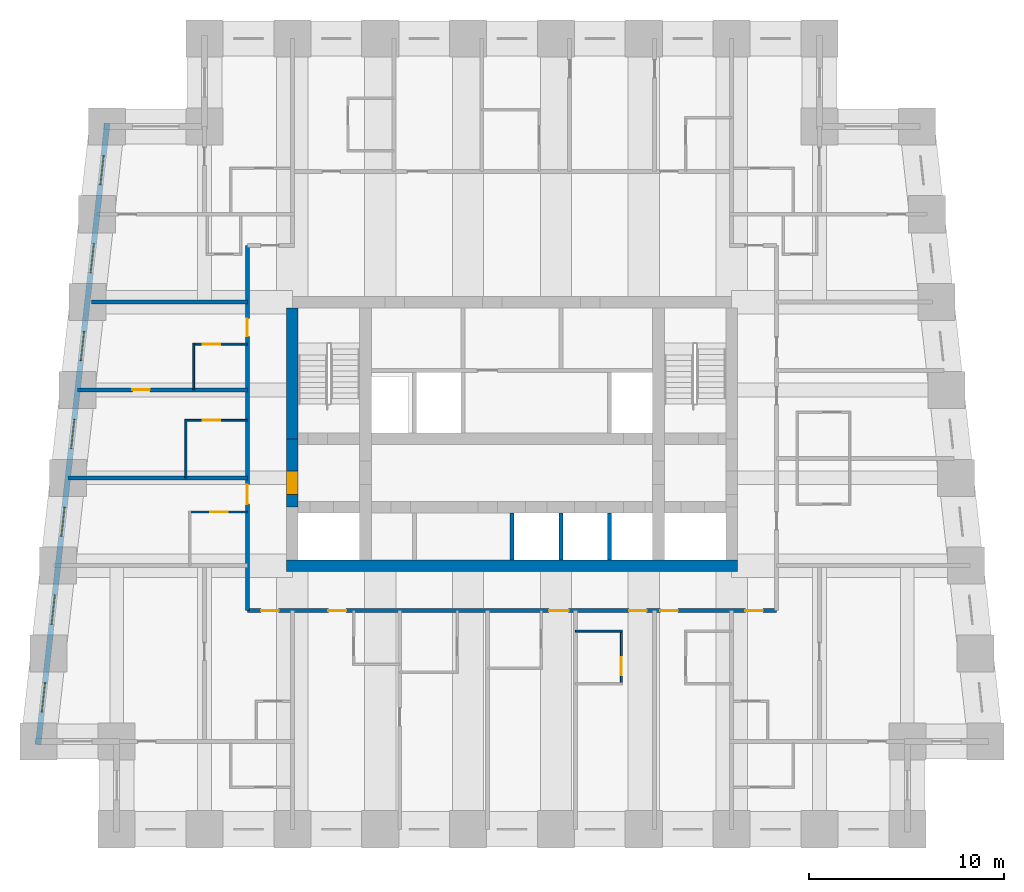
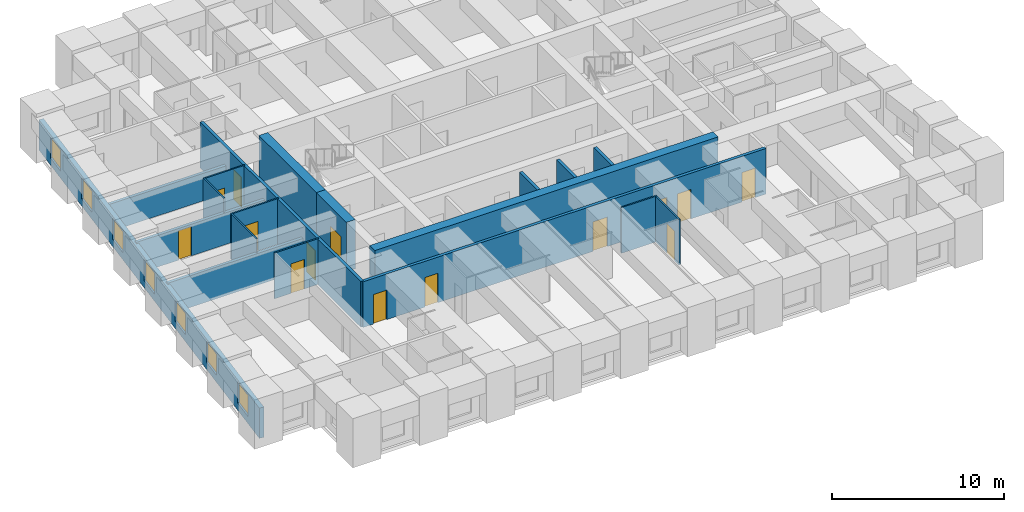
# One storey, part 3 of 8: 19 walls, 14 doors, 7 windows, 21 openings.
"""IFC4 building model written with IfcOpenShell, lengths in metres."""

from ifc_helpers import new_model, si_unit, direction, frame, frame_2d, origin, place, context, subcontext, project, spatial, rectangle, extrude, material, layer, layer_set, type_object, element, fill, save


model = new_model("IFC4")

# Units and contexts
model_context = context("Model", 3, precision=1e-05, world=origin(), true_north=direction((0.0, 1.0)))
body_context = subcontext(model_context, "Body", "Model", "MODEL_VIEW")
ifc_project = project(units=[si_unit("LENGTHUNIT", "METRE"), si_unit("AREAUNIT", "SQUARE_METRE"), si_unit("VOLUMEUNIT", "CUBIC_METRE"), si_unit("PLANEANGLEUNIT", "RADIAN"), si_unit("MASSUNIT", "GRAM", prefix="KILO")], contexts=[model_context])

# Site, building, storey
site_placement = place(None, origin())
site = spatial("IfcSite", under=ifc_project, at=site_placement, CompositionType="ELEMENT")
building_placement = place(site_placement, origin())
building = spatial("IfcBuilding", under=site, at=building_placement, Name="Kilele Tower Hotel", CompositionType="ELEMENT")
storey_placement = place(building_placement, frame((0.0, 0.0, 124.89990234375)))
storey = spatial("IfcBuildingStorey", under=building, at=storey_placement, Name="L32", CompositionType="ELEMENT", Elevation=124.89990234375)

# Wall
ifc_material_1 = material(Name="Moisture-resistant board")
ifc_layer_1 = layer(ifc_material_1, 0.10009765625)
ifc_layer_set_1 = layer_set([ifc_layer_1], Name="Moisture-resistant board")
wall_type_1 = type_object("IfcWallType", Name="Bathroom partition 100", PredefinedType="PLUMBINGWALL", material=ifc_layer_set_1)
wall_1_placement = place(storey_placement, frame((28.0, 10.14990234375, 0.0), z_axis=(0.0, 0.0, 1.0), x_axis=(1.0, 0.0, 0.0)))
element("IfcWall", 1, at=wall_1_placement, inside=storey, type_object=wall_type_1, Name="Bathroom partition 100 L32", PredefinedType="PLUMBINGWALL", context=body_context, shape_type="SweptSolid", body=[
    extrude(rectangle(XDim=2.39990234375, YDim=0.10009765625, at=frame_2d((1.199951171875, 0.0))), origin(), (0.0, 0.0, 1.0), 3.25),
])

# Wall, opening, door
wall_2_placement = place(storey_placement, frame((30.35009765625, 10.199951171875, 0.0), z_axis=(0.0, 0.0, 1.0), x_axis=(0.0, -1.0, 0.0)))
wall_2 = element("IfcWall", 2, at=wall_2_placement, inside=storey, type_object=wall_type_1, Name="Bathroom partition 100 L32", PredefinedType="PLUMBINGWALL", context=body_context, shape_type="SweptSolid", body=[
    extrude(rectangle(XDim=2.800048828125, YDim=0.10009765625, at=frame_2d((1.39990234375, 0.0))), origin(), (0.0, 0.0, 1.0), 3.25),
])
opening_1_placement = place(wall_2_placement, frame((1.39990234375, 0.0, 0.0)))
opening_1 = element("IfcOpeningElement", 3, at=opening_1_placement, cuts=wall_2, Name="Opening D2A", PredefinedType="OPENING", context=body_context, shape_type="SweptSolid", body=[
    extrude(rectangle(XDim=0.89990234375, YDim=2.10009765625, at=frame_2d((0.449951171875, 1.050048828125))), frame((0.0, 0.06005859375, 0.0), z_axis=(0.0, -1.0, 0.0), x_axis=(1.0, 0.0, 0.0)), (0.0, 0.0, 1.0), 0.1201171875),
])
ifc_material_2 = material(Name="Timber door leaf in hardwood frame", Category="wood")
door_type_1 = type_object("IfcDoorType", Name="Bathroom door 900", OperationType="SINGLE_SWING_LEFT", PredefinedType="DOOR", material=ifc_material_2)
door_1_placement = place(opening_1_placement, origin())
door_1 = element("IfcDoor", 4, at=door_1_placement, inside=storey, type_object=door_type_1, Name="Bathroom door 3204B", OperationType="SINGLE_SWING_RIGHT", OverallHeight=2.10009765625, OverallWidth=0.89990234375, PredefinedType="DOOR", context=body_context, shape_type="SweptSolid", body=[
    extrude(rectangle(XDim=0.89990234375, YDim=2.10009765625, at=frame_2d((0.449951171875, 1.050048828125))), frame((0.0, 0.02490234375, 0.0), z_axis=(0.0, -1.0, 0.0), x_axis=(1.0, 0.0, 0.0)), (0.0, 0.0, 1.0), 0.050048828125),
])
fill(opening_1, door_1)

wall_3_placement = place(storey_placement, frame((11.199951171875, 16.25, 0.0), z_axis=(0.0, 0.0, 1.0), x_axis=(-1.0, 0.0, 0.0)))
wall_3 = element("IfcWall", 5, at=wall_3_placement, inside=storey, type_object=wall_type_1, Name="Bathroom partition 100 L32", PredefinedType="PLUMBINGWALL", context=body_context, shape_type="SweptSolid", body=[
    extrude(rectangle(XDim=3.0, YDim=0.10009765625, at=frame_2d((1.5, 0.0))), origin(), (0.0, 0.0, 1.0), 3.25),
])
opening_2_placement = place(wall_3_placement, frame((1.89990234375, 0.0, 0.0), z_axis=(0.0, 0.0, 1.0), x_axis=(-1.0, 0.0, 0.0)))
opening_2 = element("IfcOpeningElement", 6, at=opening_2_placement, cuts=wall_3, Name="Opening D2A", PredefinedType="OPENING", context=body_context, shape_type="SweptSolid", body=[
    extrude(rectangle(XDim=0.89990234375, YDim=2.10009765625, at=frame_2d((0.449951171875, 1.050048828125))), frame((0.0, 0.06005859375, 0.0), z_axis=(0.0, -1.0, 0.0), x_axis=(1.0, 0.0, 0.0)), (0.0, 0.0, 1.0), 0.1201171875),
])
door_2_placement = place(opening_2_placement, origin())
door_2 = element("IfcDoor", 7, at=door_2_placement, inside=storey, type_object=door_type_1, Name="Bathroom door 3214B", OperationType="SINGLE_SWING_RIGHT", OverallHeight=2.10009765625, OverallWidth=0.89990234375, PredefinedType="DOOR", context=body_context, shape_type="SweptSolid", body=[
    extrude(rectangle(XDim=0.89990234375, YDim=2.10009765625, at=frame_2d((0.449951171875, 1.050048828125))), frame((0.0, 0.02490234375, 0.0), z_axis=(0.0, -1.0, 0.0), x_axis=(1.0, 0.0, 0.0)), (0.0, 0.0, 1.0), 0.050048828125),
])
fill(opening_2, door_2)

# Wall
wall_4_placement = place(storey_placement, frame((8.050048828125, 18.0, 0.0), z_axis=(0.0, 0.0, 1.0), x_axis=(0.0, 1.0, 0.0)))
element("IfcWall", 8, at=wall_4_placement, inside=storey, type_object=wall_type_1, Name="Bathroom partition 100 L32", PredefinedType="PLUMBINGWALL", context=body_context, shape_type="SweptSolid", body=[
    extrude(rectangle(XDim=3.0, YDim=0.10009765625, at=frame_2d((1.5, 0.0))), origin(), (0.0, 0.0, 1.0), 3.25),
])

# Wall, opening, door
wall_5_placement = place(storey_placement, frame((11.199951171875, 20.949951171875, 0.0), z_axis=(0.0, 0.0, 1.0), x_axis=(-1.0, 0.0, 0.0)))
wall_5 = element("IfcWall", 9, at=wall_5_placement, inside=storey, type_object=wall_type_1, Name="Bathroom partition 100 L32", PredefinedType="PLUMBINGWALL", context=body_context, shape_type="SweptSolid", body=[
    extrude(rectangle(XDim=3.199951171875, YDim=0.10009765625, at=frame_2d((1.60009765625, 0.0))), origin(), (0.0, 0.0, 1.0), 3.25),
])
opening_3_placement = place(wall_5_placement, frame((2.2998046875, 0.0, 0.0), z_axis=(0.0, 0.0, 1.0), x_axis=(-1.0, 0.0, 0.0)))
opening_3 = element("IfcOpeningElement", 10, at=opening_3_placement, cuts=wall_5, Name="Opening D2A", PredefinedType="OPENING", context=body_context, shape_type="SweptSolid", body=[
    extrude(rectangle(XDim=0.89990234375, YDim=2.10009765625, at=frame_2d((0.449951171875, 1.050048828125))), frame((0.0, 0.06005859375, 0.0), z_axis=(0.0, -1.0, 0.0), x_axis=(1.0, 0.0, 0.0)), (0.0, 0.0, 1.0), 0.1201171875),
])
door_3_placement = place(opening_3_placement, origin())
door_3 = element("IfcDoor", 11, at=door_3_placement, inside=storey, type_object=door_type_1, Name="Bathroom door 3215B", OperationType="SINGLE_SWING_RIGHT", OverallHeight=2.10009765625, OverallWidth=0.89990234375, PredefinedType="DOOR", context=body_context, shape_type="SweptSolid", body=[
    extrude(rectangle(XDim=0.89990234375, YDim=2.10009765625, at=frame_2d((0.449951171875, 1.050048828125))), frame((0.0, 0.02490234375, 0.0), z_axis=(0.0, -1.0, 0.0), x_axis=(1.0, 0.0, 0.0)), (0.0, 0.0, 1.0), 0.050048828125),
])
fill(opening_3, door_3)

# Wall
wall_6_placement = place(storey_placement, frame((8.449951171875, 22.5, 0.0), z_axis=(0.0, 0.0, 1.0), x_axis=(0.0, 1.0, 0.0)))
element("IfcWall", 12, at=wall_6_placement, inside=storey, type_object=wall_type_1, Name="Bathroom partition 100 L32", PredefinedType="PLUMBINGWALL", context=body_context, shape_type="SweptSolid", body=[
    extrude(rectangle(XDim=2.39990234375, YDim=0.10009765625, at=frame_2d((1.199951171875, 0.0))), origin(), (0.0, 0.0, 1.0), 3.25),
])

# Wall, opening, door
wall_7_placement = place(storey_placement, frame((11.199951171875, 24.85009765625, 0.0), z_axis=(0.0, 0.0, 1.0), x_axis=(-1.0, 0.0, 0.0)))
wall_7 = element("IfcWall", 13, at=wall_7_placement, inside=storey, type_object=wall_type_1, Name="Bathroom partition 100 L32", PredefinedType="PLUMBINGWALL", context=body_context, shape_type="SweptSolid", body=[
    extrude(rectangle(XDim=2.800048828125, YDim=0.10009765625, at=frame_2d((1.39990234375, 0.0))), origin(), (0.0, 0.0, 1.0), 3.25),
])
opening_4_placement = place(wall_7_placement, frame((2.2998046875, 0.0, 0.0), z_axis=(0.0, 0.0, 1.0), x_axis=(-1.0, 0.0, 0.0)))
opening_4 = element("IfcOpeningElement", 14, at=opening_4_placement, cuts=wall_7, Name="Opening D2A", PredefinedType="OPENING", context=body_context, shape_type="SweptSolid", body=[
    extrude(rectangle(XDim=0.89990234375, YDim=2.10009765625, at=frame_2d((0.449951171875, 1.050048828125))), frame((0.0, 0.06005859375, 0.0), z_axis=(0.0, -1.0, 0.0), x_axis=(1.0, 0.0, 0.0)), (0.0, 0.0, 1.0), 0.1201171875),
])
door_4_placement = place(opening_4_placement, origin())
door_4 = element("IfcDoor", 15, at=door_4_placement, inside=storey, type_object=door_type_1, Name="Bathroom door 3216B", OperationType="SINGLE_SWING_RIGHT", OverallHeight=2.10009765625, OverallWidth=0.89990234375, PredefinedType="DOOR", context=body_context, shape_type="SweptSolid", body=[
    extrude(rectangle(XDim=0.89990234375, YDim=2.10009765625, at=frame_2d((0.449951171875, 1.050048828125))), frame((0.0, 0.02490234375, 0.0), z_axis=(0.0, -1.0, 0.0), x_axis=(1.0, 0.0, 0.0)), (0.0, 0.0, 1.0), 0.050048828125),
])
fill(opening_4, door_4)

# Walls
ifc_material_3 = material(Name="Concrete C60/75", Category="concrete")
ifc_layer_2 = layer(ifc_material_3, 0.60009765625)
ifc_layer_set_2 = layer_set([ifc_layer_2], Name="Concrete C60/75")
wall_type_2 = type_object("IfcWallType", Name="Core wall 600 C60/75", PredefinedType="SHEAR", material=ifc_layer_set_2)
wall_8_placement = place(storey_placement, frame((13.199951171875, 13.5, 0.0), z_axis=(0.0, 0.0, 1.0), x_axis=(1.0, 0.0, 0.0)))
element("IfcWall", 16, at=wall_8_placement, inside=storey, type_object=wall_type_2, Name="Core wall S L32", PredefinedType="SHEAR", context=body_context, shape_type="SweptSolid", body=[
    extrude(rectangle(XDim=23.10009765625, YDim=0.60009765625, at=frame_2d((11.550048828125, 0.0))), origin(), (0.0, 0.0, 1.0), 3.5),
])
wall_9_placement = place(storey_placement, frame((13.5, 26.699951171875, 0.0), z_axis=(0.0, 0.0, 1.0), x_axis=(0.0, -1.0, 0.0)))
element("IfcWall", 17, at=wall_9_placement, inside=storey, type_object=wall_type_2, Name="Core wall W1 L32", PredefinedType="SHEAR", context=body_context, shape_type="SweptSolid", body=[
    extrude(rectangle(XDim=6.699951171875, YDim=0.60009765625, at=frame_2d((3.35009765625, 0.0))), origin(), (0.0, 0.0, 1.0), 3.5),
])

# Wall, opening, door
wall_10_placement = place(storey_placement, frame((13.5, 20.0, 0.0), z_axis=(0.0, 0.0, 1.0), x_axis=(0.0, -1.0, 0.0)))
wall_10 = element("IfcWall", 18, at=wall_10_placement, inside=storey, type_object=wall_type_2, Name="Core wall W2 L32", PredefinedType="SHEAR", context=body_context, shape_type="SweptSolid", body=[
    extrude(rectangle(XDim=3.5, YDim=0.60009765625, at=frame_2d((1.75, 0.0))), origin(), (0.0, 0.0, 1.0), 3.5),
])
opening_5_placement = place(wall_10_placement, frame((1.64990234375, 0.0, 0.0)))
opening_5 = element("IfcOpeningElement", 19, at=opening_5_placement, cuts=wall_10, Name="Opening D4", PredefinedType="OPENING", context=body_context, shape_type="SweptSolid", body=[
    extrude(rectangle(XDim=1.199951171875, YDim=2.10009765625, at=frame_2d((0.60009765625, 1.050048828125))), frame((0.0, 0.31005859375, 0.0), z_axis=(0.0, -1.0, 0.0), x_axis=(1.0, 0.0, 0.0)), (0.0, 0.0, 1.0), 0.6201171875),
])
ifc_material_4 = material(Name="Timber door leaf in hardwood frame", Category="wood")
door_type_2 = type_object("IfcDoorType", Name="Firefighting lobby door 1200", OperationType="SINGLE_SWING_LEFT", PredefinedType="DOOR", material=ifc_material_4)
door_5_placement = place(opening_5_placement, origin())
door_5 = element("IfcDoor", 20, at=door_5_placement, inside=storey, type_object=door_type_2, Name="Lobby door L32", OperationType="SINGLE_SWING_RIGHT", OverallHeight=2.10009765625, OverallWidth=1.199951171875, PredefinedType="DOOR", context=body_context, shape_type="SweptSolid", body=[
    extrude(rectangle(XDim=1.199951171875, YDim=2.10009765625, at=frame_2d((0.60009765625, 1.050048828125))), frame((0.0, 0.2998046875, 0.0), z_axis=(0.0, -1.0, 0.0), x_axis=(1.0, 0.0, 0.0)), (0.0, 0.0, 1.0), 0.599609375),
])
fill(opening_5, door_5)

# Wall, openings, doors
ifc_material_5 = material(Name="Blockwork, plastered both sides", Category="masonry")
ifc_layer_3 = layer(ifc_material_5, 0.199951171875)
ifc_layer_set_3 = layer_set([ifc_layer_3], Name="Blockwork, plastered both sides")
wall_type_3 = type_object("IfcWallType", Name="Corridor wall 200", PredefinedType="PARTITIONING", material=ifc_layer_set_3)
wall_11_placement = place(storey_placement, frame((11.199951171875, 11.199951171875, 0.0), z_axis=(0.0, 0.0, 1.0), x_axis=(1.0, 0.0, 0.0)))
wall_11 = element("IfcWall", 21, at=wall_11_placement, inside=storey, type_object=wall_type_3, Name="Corridor wall 200 L32", PredefinedType="PARTITIONING", context=body_context, shape_type="SweptSolid", body=[
    extrude(rectangle(XDim=27.10009765625, YDim=0.199951171875, at=frame_2d((13.550048828125, 0.0))), origin(), (0.0, 0.0, 1.0), 3.25),
])
opening_6_placement = place(wall_11_placement, frame((5.0498046875, 0.0, 0.0), z_axis=(0.0, 0.0, 1.0), x_axis=(-1.0, 0.0, 0.0)))
opening_6 = element("IfcOpeningElement", 22, at=opening_6_placement, cuts=wall_11, Name="Opening D1", PredefinedType="OPENING", context=body_context, shape_type="SweptSolid", body=[
    extrude(rectangle(XDim=0.89990234375, YDim=2.10009765625, at=frame_2d((0.449951171875, 1.050048828125))), frame((0.0, 0.10986328125, 0.0), z_axis=(0.0, -1.0, 0.0), x_axis=(1.0, 0.0, 0.0)), (0.0, 0.0, 1.0), 0.219970703125),
])
opening_7_placement = place(wall_11_placement, frame((16.449951171875, 0.0, 0.0), z_axis=(0.0, 0.0, 1.0), x_axis=(-1.0, 0.0, 0.0)))
opening_7 = element("IfcOpeningElement", 23, at=opening_7_placement, cuts=wall_11, Name="Opening D1A", PredefinedType="OPENING", context=body_context, shape_type="SweptSolid", body=[
    extrude(rectangle(XDim=1.0, YDim=2.10009765625, at=frame_2d((0.5, 1.050048828125))), frame((0.0, 0.10986328125, 0.0), z_axis=(0.0, -1.0, 0.0), x_axis=(1.0, 0.0, 0.0)), (0.0, 0.0, 1.0), 0.219970703125),
])
opening_8_placement = place(wall_11_placement, frame((20.449951171875, 0.0, 0.0), z_axis=(0.0, 0.0, 1.0), x_axis=(-1.0, 0.0, 0.0)))
opening_8 = element("IfcOpeningElement", 24, at=opening_8_placement, cuts=wall_11, Name="Opening D1", PredefinedType="OPENING", context=body_context, shape_type="SweptSolid", body=[
    extrude(rectangle(XDim=0.89990234375, YDim=2.10009765625, at=frame_2d((0.449951171875, 1.050048828125))), frame((0.0, 0.10986328125, 0.0), z_axis=(0.0, -1.0, 0.0), x_axis=(1.0, 0.0, 0.0)), (0.0, 0.0, 1.0), 0.219970703125),
])
opening_9_placement = place(wall_11_placement, frame((22.0498046875, 0.0, 0.0), z_axis=(0.0, 0.0, 1.0), x_axis=(-1.0, 0.0, 0.0)))
opening_9 = element("IfcOpeningElement", 25, at=opening_9_placement, cuts=wall_11, Name="Opening D1", PredefinedType="OPENING", context=body_context, shape_type="SweptSolid", body=[
    extrude(rectangle(XDim=0.89990234375, YDim=2.10009765625, at=frame_2d((0.449951171875, 1.050048828125))), frame((0.0, 0.10986328125, 0.0), z_axis=(0.0, -1.0, 0.0), x_axis=(1.0, 0.0, 0.0)), (0.0, 0.0, 1.0), 0.219970703125),
])
opening_10_placement = place(wall_11_placement, frame((1.599853515625, 0.0, 0.0), z_axis=(0.0, 0.0, 1.0), x_axis=(-1.0, 0.0, 0.0)))
opening_10 = element("IfcOpeningElement", 26, at=opening_10_placement, cuts=wall_11, Name="Opening D1", PredefinedType="OPENING", context=body_context, shape_type="SweptSolid", body=[
    extrude(rectangle(XDim=0.89990234375, YDim=2.10009765625, at=frame_2d((0.449951171875, 1.050048828125))), frame((0.0, 0.10986328125, 0.0), z_axis=(0.0, -1.0, 0.0), x_axis=(1.0, 0.0, 0.0)), (0.0, 0.0, 1.0), 0.219970703125),
])
opening_11_placement = place(wall_11_placement, frame((26.39990234375, 0.0, 0.0), z_axis=(0.0, 0.0, 1.0), x_axis=(-1.0, 0.0, 0.0)))
opening_11 = element("IfcOpeningElement", 27, at=opening_11_placement, cuts=wall_11, Name="Opening D1", PredefinedType="OPENING", context=body_context, shape_type="SweptSolid", body=[
    extrude(rectangle(XDim=0.89990234375, YDim=2.10009765625, at=frame_2d((0.449951171875, 1.050048828125))), frame((0.0, 0.10986328125, 0.0), z_axis=(0.0, -1.0, 0.0), x_axis=(1.0, 0.0, 0.0)), (0.0, 0.0, 1.0), 0.219970703125),
])
ifc_material_6 = material(Name="Timber door leaf in hardwood frame", Category="wood")
door_type_3 = type_object("IfcDoorType", Name="Guest room entrance door 1000", OperationType="SINGLE_SWING_LEFT", PredefinedType="DOOR", material=ifc_material_6)
door_6_placement = place(opening_7_placement, origin())
door_6 = element("IfcDoor", 28, at=door_6_placement, inside=storey, type_object=door_type_3, Name="Room entrance 3203", OperationType="SINGLE_SWING_LEFT", OverallHeight=2.10009765625, OverallWidth=1.0, PredefinedType="DOOR", context=body_context, shape_type="SweptSolid", body=[
    extrude(rectangle(XDim=1.0, YDim=2.10009765625, at=frame_2d((0.5, 1.050048828125))), frame((0.0, 0.02490234375, 0.0), z_axis=(0.0, -1.0, 0.0), x_axis=(1.0, 0.0, 0.0)), (0.0, 0.0, 1.0), 0.050048828125),
])
fill(opening_7, door_6)
ifc_material_7 = material(Name="Timber door leaf in hardwood frame", Category="wood")
door_type_4 = type_object("IfcDoorType", Name="Guest room entrance door 900", OperationType="SINGLE_SWING_LEFT", PredefinedType="DOOR", material=ifc_material_7)
door_7_placement = place(opening_6_placement, origin())
door_7 = element("IfcDoor", 29, at=door_7_placement, inside=storey, type_object=door_type_4, Name="Room entrance 3201", OperationType="SINGLE_SWING_LEFT", OverallHeight=2.10009765625, OverallWidth=0.89990234375, PredefinedType="DOOR", context=body_context, shape_type="SweptSolid", body=[
    extrude(rectangle(XDim=0.89990234375, YDim=2.10009765625, at=frame_2d((0.449951171875, 1.050048828125))), frame((0.0, 0.02490234375, 0.0), z_axis=(0.0, -1.0, 0.0), x_axis=(1.0, 0.0, 0.0)), (0.0, 0.0, 1.0), 0.050048828125),
])
fill(opening_6, door_7)
door_8_placement = place(opening_8_placement, origin())
door_8 = element("IfcDoor", 30, at=door_8_placement, inside=storey, type_object=door_type_4, Name="Room entrance 3204", OperationType="SINGLE_SWING_LEFT", OverallHeight=2.10009765625, OverallWidth=0.89990234375, PredefinedType="DOOR", context=body_context, shape_type="SweptSolid", body=[
    extrude(rectangle(XDim=0.89990234375, YDim=2.10009765625, at=frame_2d((0.449951171875, 1.050048828125))), frame((0.0, 0.02490234375, 0.0), z_axis=(0.0, -1.0, 0.0), x_axis=(1.0, 0.0, 0.0)), (0.0, 0.0, 1.0), 0.050048828125),
])
fill(opening_8, door_8)
door_9_placement = place(opening_9_placement, origin())
door_9 = element("IfcDoor", 31, at=door_9_placement, inside=storey, type_object=door_type_4, Name="Room entrance 3205", OperationType="SINGLE_SWING_RIGHT", OverallHeight=2.10009765625, OverallWidth=0.89990234375, PredefinedType="DOOR", context=body_context, shape_type="SweptSolid", body=[
    extrude(rectangle(XDim=0.89990234375, YDim=2.10009765625, at=frame_2d((0.449951171875, 1.050048828125))), frame((0.0, 0.02490234375, 0.0), z_axis=(0.0, -1.0, 0.0), x_axis=(1.0, 0.0, 0.0)), (0.0, 0.0, 1.0), 0.050048828125),
])
fill(opening_9, door_9)
door_10_placement = place(opening_10_placement, origin())
door_10 = element("IfcDoor", 32, at=door_10_placement, inside=storey, type_object=door_type_4, Name="Room entrance 3217", OperationType="SINGLE_SWING_LEFT", OverallHeight=2.10009765625, OverallWidth=0.89990234375, PredefinedType="DOOR", context=body_context, shape_type="SweptSolid", body=[
    extrude(rectangle(XDim=0.89990234375, YDim=2.10009765625, at=frame_2d((0.449951171875, 1.050048828125))), frame((0.0, 0.02490234375, 0.0), z_axis=(0.0, -1.0, 0.0), x_axis=(1.0, 0.0, 0.0)), (0.0, 0.0, 1.0), 0.050048828125),
])
fill(opening_10, door_10)
door_11_placement = place(opening_11_placement, origin())
door_11 = element("IfcDoor", 33, at=door_11_placement, inside=storey, type_object=door_type_4, Name="Room entrance 3220", OperationType="SINGLE_SWING_RIGHT", OverallHeight=2.10009765625, OverallWidth=0.89990234375, PredefinedType="DOOR", context=body_context, shape_type="SweptSolid", body=[
    extrude(rectangle(XDim=0.89990234375, YDim=2.10009765625, at=frame_2d((0.449951171875, 1.050048828125))), frame((0.0, 0.02490234375, 0.0), z_axis=(0.0, -1.0, 0.0), x_axis=(1.0, 0.0, 0.0)), (0.0, 0.0, 1.0), 0.050048828125),
])
fill(opening_11, door_11)

wall_12_placement = place(storey_placement, frame((11.199951171875, 11.199951171875, 0.0), z_axis=(0.0, 0.0, 1.0), x_axis=(0.0, 1.0, 0.0)))
wall_12 = element("IfcWall", 34, at=wall_12_placement, inside=storey, type_object=wall_type_3, Name="Corridor wall 200 L32", PredefinedType="PARTITIONING", context=body_context, shape_type="SweptSolid", body=[
    extrude(rectangle(XDim=18.699951171875, YDim=0.199951171875, at=frame_2d((9.35009765625, 0.0))), origin(), (0.0, 0.0, 1.0), 3.25),
])
opening_12_placement = place(wall_12_placement, frame((5.449951171875, 0.0, 0.0)))
opening_12 = element("IfcOpeningElement", 35, at=opening_12_placement, cuts=wall_12, Name="Opening D8", PredefinedType="OPENING", context=body_context, shape_type="SweptSolid", body=[
    extrude(rectangle(XDim=1.0, YDim=2.10009765625, at=frame_2d((0.5, 1.050048828125))), frame((0.0, 0.10986328125, 0.0), z_axis=(0.0, -1.0, 0.0), x_axis=(1.0, 0.0, 0.0)), (0.0, 0.0, 1.0), 0.219970703125),
])
opening_13_placement = place(wall_12_placement, frame((14.050048828125, 0.0, 0.0)))
opening_13 = element("IfcOpeningElement", 36, at=opening_13_placement, cuts=wall_12, Name="Opening D1", PredefinedType="OPENING", context=body_context, shape_type="SweptSolid", body=[
    extrude(rectangle(XDim=0.89990234375, YDim=2.10009765625, at=frame_2d((0.449951171875, 1.050048828125))), frame((0.0, 0.10986328125, 0.0), z_axis=(0.0, -1.0, 0.0), x_axis=(1.0, 0.0, 0.0)), (0.0, 0.0, 1.0), 0.219970703125),
])
ifc_material_8 = material(Name="Timber door leaf in hardwood frame", Category="wood")
door_type_5 = type_object("IfcDoorType", Name="Door 1000", OperationType="SINGLE_SWING_LEFT", PredefinedType="DOOR", material=ifc_material_8)
door_12_placement = place(opening_12_placement, origin())
door_12 = element("IfcDoor", 37, at=door_12_placement, inside=storey, type_object=door_type_5, Name="Room entrance 3214", OperationType="SINGLE_SWING_LEFT", OverallHeight=2.10009765625, OverallWidth=1.0, PredefinedType="DOOR", context=body_context, shape_type="SweptSolid", body=[
    extrude(rectangle(XDim=1.0, YDim=2.10009765625, at=frame_2d((0.5, 1.050048828125))), frame((0.0, 0.02490234375, 0.0), z_axis=(0.0, -1.0, 0.0), x_axis=(1.0, 0.0, 0.0)), (0.0, 0.0, 1.0), 0.050048828125),
])
fill(opening_12, door_12)
door_13_placement = place(opening_13_placement, origin())
door_13 = element("IfcDoor", 38, at=door_13_placement, inside=storey, type_object=door_type_4, Name="Room entrance 3216", OperationType="SINGLE_SWING_LEFT", OverallHeight=2.10009765625, OverallWidth=0.89990234375, PredefinedType="DOOR", context=body_context, shape_type="SweptSolid", body=[
    extrude(rectangle(XDim=0.89990234375, YDim=2.10009765625, at=frame_2d((0.449951171875, 1.050048828125))), frame((0.0, 0.02490234375, 0.0), z_axis=(0.0, -1.0, 0.0), x_axis=(1.0, 0.0, 0.0)), (0.0, 0.0, 1.0), 0.050048828125),
])
fill(opening_13, door_13)

# Wall
ifc_material_9 = material(Name="Blockwork, plastered both sides", Category="masonry")
ifc_layer_4 = layer(ifc_material_9, 0.199951171875)
ifc_layer_set_4 = layer_set([ifc_layer_4], Name="Blockwork, plastered both sides")
wall_type_4 = type_object("IfcWallType", Name="Party wall 200", PredefinedType="PARTITIONING", material=ifc_layer_set_4)
wall_13_placement = place(storey_placement, frame((11.199951171875, 18.0, 0.0), z_axis=(0.0, 0.0, 1.0), x_axis=(-1.0, 0.0, 0.0)))
element("IfcWall", 39, at=wall_13_placement, inside=storey, type_object=wall_type_4, Name="Party wall 200 L32", PredefinedType="PARTITIONING", context=body_context, shape_type="SweptSolid", body=[
    extrude(rectangle(XDim=9.198974609375, YDim=0.199951171875, at=frame_2d((4.599609375, 0.0))), origin(), (0.0, 0.0, 1.0), 2.25),
])

# Wall, opening, door
wall_14_placement = place(storey_placement, frame((11.199951171875, 22.5, 0.0), z_axis=(0.0, 0.0, 1.0), x_axis=(-1.0, 0.0, 0.0)))
wall_14 = element("IfcWall", 40, at=wall_14_placement, inside=storey, type_object=wall_type_4, Name="Party wall 200 L32", PredefinedType="PARTITIONING", context=body_context, shape_type="SweptSolid", body=[
    extrude(rectangle(XDim=8.698974609375, YDim=0.199951171875, at=frame_2d((4.349609375, 0.0))), origin(), (0.0, 0.0, 1.0), 2.25),
])
opening_14_placement = place(wall_14_placement, frame((5.0, 0.0, 0.0)))
opening_14 = element("IfcOpeningElement", 41, at=opening_14_placement, cuts=wall_14, Name="Opening D3", PredefinedType="OPENING", context=body_context, shape_type="SweptSolid", body=[
    extrude(rectangle(XDim=0.89990234375, YDim=2.10009765625, at=frame_2d((0.449951171875, 1.050048828125))), frame((0.0, 0.10986328125, 0.0), z_axis=(0.0, -1.0, 0.0), x_axis=(1.0, 0.0, 0.0)), (0.0, 0.0, 1.0), 0.219970703125),
])
ifc_material_10 = material(Name="Timber door leaf in hardwood frame", Category="wood")
door_type_6 = type_object("IfcDoorType", Name="Suite internal door 900", OperationType="SINGLE_SWING_LEFT", PredefinedType="DOOR", material=ifc_material_10)
door_14_placement = place(opening_14_placement, origin())
door_14 = element("IfcDoor", 42, at=door_14_placement, inside=storey, type_object=door_type_6, Name="Suite door 3216", OperationType="SINGLE_SWING_RIGHT", OverallHeight=2.10009765625, OverallWidth=0.89990234375, PredefinedType="DOOR", context=body_context, shape_type="SweptSolid", body=[
    extrude(rectangle(XDim=0.89990234375, YDim=2.10009765625, at=frame_2d((0.449951171875, 1.050048828125))), frame((0.0, 0.02490234375, 0.0), z_axis=(0.0, -1.0, 0.0), x_axis=(1.0, 0.0, 0.0)), (0.0, 0.0, 1.0), 0.050048828125),
])
fill(opening_14, door_14)

# Wall
wall_15_placement = place(storey_placement, frame((11.199951171875, 27.0, 0.0), z_axis=(0.0, 0.0, 1.0), x_axis=(-1.0, 0.0, 0.0)))
element("IfcWall", 43, at=wall_15_placement, inside=storey, type_object=wall_type_4, Name="Party wall 200 L32", PredefinedType="PARTITIONING", context=body_context, shape_type="SweptSolid", body=[
    extrude(rectangle(XDim=7.976806640625, YDim=0.199951171875, at=frame_2d((3.98828125, 0.0))), origin(), (0.0, 0.0, 1.0), 1.9501953125),
])

# Wall, openings, windows
ifc_material_11 = material(Name="Concrete C40/50 precast", Category="concrete")
ifc_layer_5 = layer(ifc_material_11, 0.260009765625, Name="Precast backing", Category="LoadBearing")
ifc_material_12 = material(Name="Reconstituted stone finish", Category="masonry")
ifc_layer_6 = layer(ifc_material_12, 0.0400390625, Name="Face mix", Category="Finish")
ifc_layer_set_5 = layer_set([ifc_layer_5, ifc_layer_6], Name="Precast concrete C40/50, reconstituted stone finish")
wall_type_5 = type_object("IfcWallType", Name="Precast stone facade wall 300", PredefinedType="STANDARD", material=ifc_layer_set_5)
wall_16_placement = place(storey_placement, frame((4.0166015625, 36.149169921875, 0.0), z_axis=(0.0, 0.0, 1.0), x_axis=(-0.110433201132, -0.993883548555, 0.0)))
wall_16 = element("IfcWall", 44, at=wall_16_placement, inside=storey, type_object=wall_type_5, Name="Facade wall L32 edge 12", PredefinedType="STANDARD", context=body_context, shape_type="SweptSolid", body=[
    extrude(rectangle(XDim=31.994140625, YDim=0.300048828125, at=frame_2d((15.9970703125, 0.0))), origin(), (0.0, 0.0, 1.0), 2.150146484375),
])
opening_15_placement = place(wall_16_placement, frame((1.6640625, 0.0, 0.5)))
opening_15 = element("IfcOpeningElement", 45, at=opening_15_placement, cuts=wall_16, Name="Opening W2", PredefinedType="OPENING", context=body_context, shape_type="SweptSolid", body=[
    extrude(rectangle(XDim=1.5, YDim=1.5, at=frame_2d((0.75, 0.75))), frame((0.0, 0.159912109375, 0.0), z_axis=(0.0, -1.0, 0.0), x_axis=(1.0, 0.0, 0.0)), (0.0, 0.0, 1.0), 0.320068359375),
])
opening_16_placement = place(wall_16_placement, frame((6.19189453125, 0.0, 0.5)))
opening_16 = element("IfcOpeningElement", 46, at=opening_16_placement, cuts=wall_16, Name="Opening W2", PredefinedType="OPENING", context=body_context, shape_type="SweptSolid", body=[
    extrude(rectangle(XDim=1.5, YDim=1.5, at=frame_2d((0.75, 0.75))), frame((0.0, 0.159912109375, 0.0), z_axis=(0.0, -1.0, 0.0), x_axis=(1.0, 0.0, 0.0)), (0.0, 0.0, 1.0), 0.320068359375),
])
opening_17_placement = place(wall_16_placement, frame((10.718994140625, 0.0, 0.5)))
opening_17 = element("IfcOpeningElement", 47, at=opening_17_placement, cuts=wall_16, Name="Opening W2", PredefinedType="OPENING", context=body_context, shape_type="SweptSolid", body=[
    extrude(rectangle(XDim=1.5, YDim=1.5, at=frame_2d((0.75, 0.75))), frame((0.0, 0.159912109375, 0.0), z_axis=(0.0, -1.0, 0.0), x_axis=(1.0, 0.0, 0.0)), (0.0, 0.0, 1.0), 0.320068359375),
])
opening_18_placement = place(wall_16_placement, frame((15.2470703125, 0.0, 0.5)))
opening_18 = element("IfcOpeningElement", 48, at=opening_18_placement, cuts=wall_16, Name="Opening W2", PredefinedType="OPENING", context=body_context, shape_type="SweptSolid", body=[
    extrude(rectangle(XDim=1.5, YDim=1.5, at=frame_2d((0.75, 0.75))), frame((0.0, 0.159912109375, 0.0), z_axis=(0.0, -1.0, 0.0), x_axis=(1.0, 0.0, 0.0)), (0.0, 0.0, 1.0), 0.320068359375),
])
opening_19_placement = place(wall_16_placement, frame((19.77490234375, 0.0, 0.5)))
opening_19 = element("IfcOpeningElement", 49, at=opening_19_placement, cuts=wall_16, Name="Opening W2", PredefinedType="OPENING", context=body_context, shape_type="SweptSolid", body=[
    extrude(rectangle(XDim=1.5, YDim=1.5, at=frame_2d((0.75, 0.75))), frame((0.0, 0.159912109375, 0.0), z_axis=(0.0, -1.0, 0.0), x_axis=(1.0, 0.0, 0.0)), (0.0, 0.0, 1.0), 0.320068359375),
])
opening_20_placement = place(wall_16_placement, frame((24.302001953125, 0.0, 0.5)))
opening_20 = element("IfcOpeningElement", 50, at=opening_20_placement, cuts=wall_16, Name="Opening W2", PredefinedType="OPENING", context=body_context, shape_type="SweptSolid", body=[
    extrude(rectangle(XDim=1.5, YDim=1.5, at=frame_2d((0.75, 0.75))), frame((0.0, 0.159912109375, 0.0), z_axis=(0.0, -1.0, 0.0), x_axis=(1.0, 0.0, 0.0)), (0.0, 0.0, 1.0), 0.320068359375),
])
opening_21_placement = place(wall_16_placement, frame((28.830078125, 0.0, 0.5)))
opening_21 = element("IfcOpeningElement", 51, at=opening_21_placement, cuts=wall_16, Name="Opening W2", PredefinedType="OPENING", context=body_context, shape_type="SweptSolid", body=[
    extrude(rectangle(XDim=1.5, YDim=1.5, at=frame_2d((0.75, 0.75))), frame((0.0, 0.159912109375, 0.0), z_axis=(0.0, -1.0, 0.0), x_axis=(1.0, 0.0, 0.0)), (0.0, 0.0, 1.0), 0.320068359375),
])
ifc_material_13 = material(Name="Aluminium frame, clear double glazing", Category="aluminium")
window_type = type_object("IfcWindowType", Name="Window W2 1500 x 1500", PartitioningType="SINGLE_PANEL", PredefinedType="WINDOW", material=ifc_material_13)
window_1_placement = place(opening_15_placement, origin())
window_1 = element("IfcWindow", 52, at=window_1_placement, inside=storey, type_object=window_type, Name="Window L32", OverallHeight=1.5, OverallWidth=1.5, PartitioningType="SINGLE_PANEL", PredefinedType="WINDOW", context=body_context, shape_type="SweptSolid", body=[
    extrude(rectangle(XDim=1.5, YDim=1.5, at=frame_2d((0.75, 0.75))), frame((0.0, 0.030029296875, 0.0), z_axis=(0.0, -1.0, 0.0), x_axis=(1.0, 0.0, 0.0)), (0.0, 0.0, 1.0), 0.06005859375),
])
fill(opening_15, window_1)
window_2_placement = place(opening_16_placement, origin())
window_2 = element("IfcWindow", 53, at=window_2_placement, inside=storey, type_object=window_type, Name="Window L32", OverallHeight=1.5, OverallWidth=1.5, PartitioningType="SINGLE_PANEL", PredefinedType="WINDOW", context=body_context, shape_type="SweptSolid", body=[
    extrude(rectangle(XDim=1.5, YDim=1.5, at=frame_2d((0.75, 0.75))), frame((0.0, 0.030029296875, 0.0), z_axis=(0.0, -1.0, 0.0), x_axis=(1.0, 0.0, 0.0)), (0.0, 0.0, 1.0), 0.06005859375),
])
fill(opening_16, window_2)
window_3_placement = place(opening_17_placement, origin())
window_3 = element("IfcWindow", 54, at=window_3_placement, inside=storey, type_object=window_type, Name="Window L32", OverallHeight=1.5, OverallWidth=1.5, PartitioningType="SINGLE_PANEL", PredefinedType="WINDOW", context=body_context, shape_type="SweptSolid", body=[
    extrude(rectangle(XDim=1.5, YDim=1.5, at=frame_2d((0.75, 0.75))), frame((0.0, 0.030029296875, 0.0), z_axis=(0.0, -1.0, 0.0), x_axis=(1.0, 0.0, 0.0)), (0.0, 0.0, 1.0), 0.06005859375),
])
fill(opening_17, window_3)
window_4_placement = place(opening_18_placement, origin())
window_4 = element("IfcWindow", 55, at=window_4_placement, inside=storey, type_object=window_type, Name="Window L32", OverallHeight=1.5, OverallWidth=1.5, PartitioningType="SINGLE_PANEL", PredefinedType="WINDOW", context=body_context, shape_type="SweptSolid", body=[
    extrude(rectangle(XDim=1.5, YDim=1.5, at=frame_2d((0.75, 0.75))), frame((0.0, 0.030029296875, 0.0), z_axis=(0.0, -1.0, 0.0), x_axis=(1.0, 0.0, 0.0)), (0.0, 0.0, 1.0), 0.06005859375),
])
fill(opening_18, window_4)
window_5_placement = place(opening_19_placement, origin())
window_5 = element("IfcWindow", 56, at=window_5_placement, inside=storey, type_object=window_type, Name="Window L32", OverallHeight=1.5, OverallWidth=1.5, PartitioningType="SINGLE_PANEL", PredefinedType="WINDOW", context=body_context, shape_type="SweptSolid", body=[
    extrude(rectangle(XDim=1.5, YDim=1.5, at=frame_2d((0.75, 0.75))), frame((0.0, 0.030029296875, 0.0), z_axis=(0.0, -1.0, 0.0), x_axis=(1.0, 0.0, 0.0)), (0.0, 0.0, 1.0), 0.06005859375),
])
fill(opening_19, window_5)
window_6_placement = place(opening_20_placement, origin())
window_6 = element("IfcWindow", 57, at=window_6_placement, inside=storey, type_object=window_type, Name="Window L32", OverallHeight=1.5, OverallWidth=1.5, PartitioningType="SINGLE_PANEL", PredefinedType="WINDOW", context=body_context, shape_type="SweptSolid", body=[
    extrude(rectangle(XDim=1.5, YDim=1.5, at=frame_2d((0.75, 0.75))), frame((0.0, 0.030029296875, 0.0), z_axis=(0.0, -1.0, 0.0), x_axis=(1.0, 0.0, 0.0)), (0.0, 0.0, 1.0), 0.06005859375),
])
fill(opening_20, window_6)
window_7_placement = place(opening_21_placement, origin())
window_7 = element("IfcWindow", 58, at=window_7_placement, inside=storey, type_object=window_type, Name="Window L32", OverallHeight=1.5, OverallWidth=1.5, PartitioningType="SINGLE_PANEL", PredefinedType="WINDOW", context=body_context, shape_type="SweptSolid", body=[
    extrude(rectangle(XDim=1.5, YDim=1.5, at=frame_2d((0.75, 0.75))), frame((0.0, 0.030029296875, 0.0), z_axis=(0.0, -1.0, 0.0), x_axis=(1.0, 0.0, 0.0)), (0.0, 0.0, 1.0), 0.06005859375),
])
fill(opening_21, window_7)

# Walls
ifc_material_14 = material(Name="Blockwork, fire-rated", Category="masonry")
ifc_layer_7 = layer(ifc_material_14, 0.199951171875)
ifc_layer_set_6 = layer_set([ifc_layer_7], Name="Blockwork, fire-rated")
wall_type_6 = type_object("IfcWallType", Name="Shaft wall 200", PredefinedType="PARTITIONING", material=ifc_layer_set_6)
for number, where, z_axis, x_axis, name in (
    (59, (24.75, 13.800048828125, 0.0), (0.0, 0.0, 1.0), (0.0, 1.0, 0.0), "Shaft wall 200 L32"),
    (60, (27.25, 13.800048828125, 0.0), (0.0, 0.0, 1.0), (0.0, 1.0, 0.0), "Shaft wall 200 L32"),
    (61, (29.75, 13.800048828125, 0.0), (0.0, 0.0, 1.0), (0.0, 1.0, 0.0), "Shaft wall 200 L32"),
):
    element("IfcWall", number, at=place(storey_placement, frame(where, z_axis=z_axis, x_axis=x_axis)), inside=storey, type_object=wall_type_6, Name=name, PredefinedType="PARTITIONING", context=body_context, shape_type="SweptSolid", body=[
        extrude(rectangle(XDim=2.39990234375, YDim=0.199951171875, at=frame_2d((1.199951171875, 0.0))), origin(), (0.0, 0.0, 1.0), 3.25),
    ])

save(model, "model.ifc")
